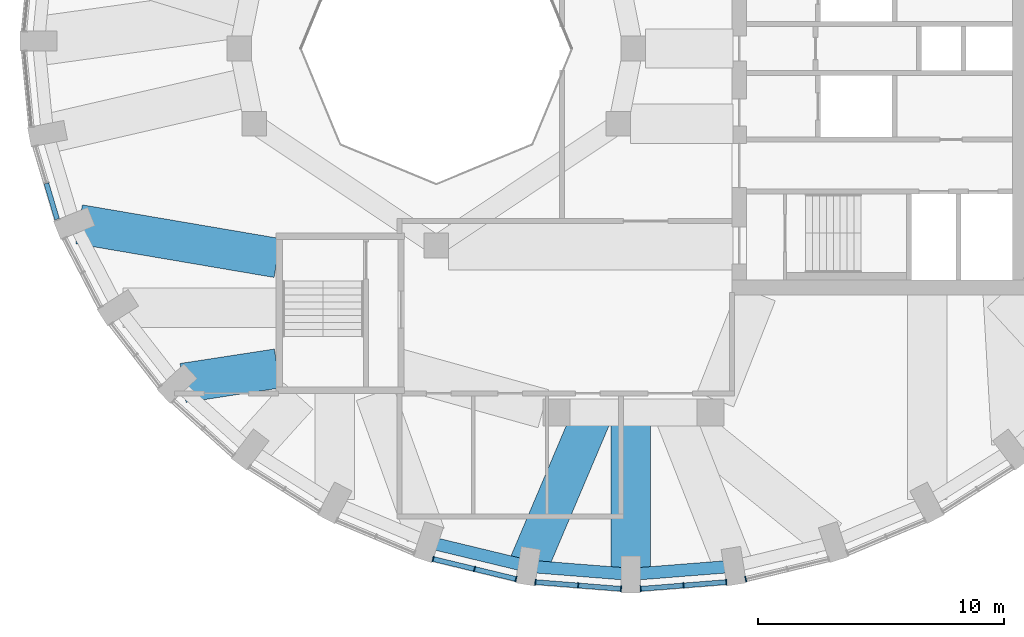
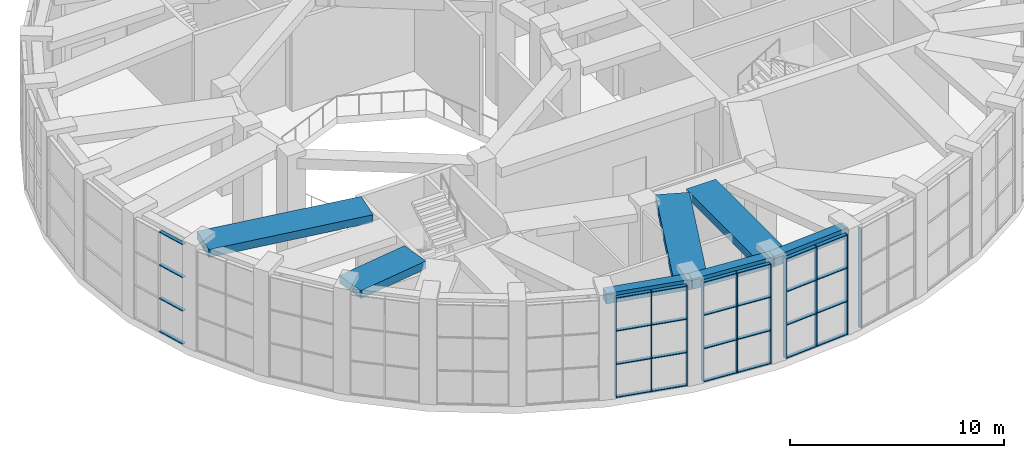
# One storey, part 3 of 20: 38 members, 7 beams, 5 elements without a shape of their own.
"""IFC4 building model written with IfcOpenShell, lengths in metres."""

from ifc_helpers import new_model, si_unit, direction, frame, origin, origin_2d, place, context, subcontext, project, spatial, rectangle, extrude, material, material_profile, profile_set, type_object, element, aggregate, save


model = new_model("IFC4")

# Units and contexts
model_context = context("Model", 3, precision=1e-05, world=origin(), true_north=direction((0.0, 1.0)))
body_context = subcontext(model_context, "Body", "Model", "MODEL_VIEW")
ifc_project = project(units=[si_unit("LENGTHUNIT", "METRE"), si_unit("AREAUNIT", "SQUARE_METRE"), si_unit("VOLUMEUNIT", "CUBIC_METRE"), si_unit("PLANEANGLEUNIT", "RADIAN"), si_unit("MASSUNIT", "GRAM", prefix="KILO")], contexts=[model_context])

# Site, building, storey
site_placement = place(None, origin())
site = spatial("IfcSite", under=ifc_project, at=site_placement, CompositionType="ELEMENT")
building_placement = place(site_placement, origin())
building = spatial("IfcBuilding", under=site, at=building_placement, Name="Taillehof Tower", CompositionType="ELEMENT")
storey_placement = place(building_placement, frame((0.0, 0.0, 269.199951171875)))
storey = spatial("IfcBuildingStorey", under=building, at=storey_placement, Name="L76", CompositionType="ELEMENT", Elevation=269.199951171875)

# Curtain wall, members
ifc_material_1 = material(Name="Aluminium curtain wall with Clear toughened laminated glass", Category="aluminium")
curtain_wall_type = type_object("IfcCurtainWallType", Name="Observation deck curtain wall", PredefinedType="USERDEFINED", material=ifc_material_1)
curtain_wall_1_placement = place(storey_placement, origin())
curtain_wall_1 = element("IfcCurtainWall", 1, at=curtain_wall_1_placement, inside=storey, type_object=curtain_wall_type, Name="Observation deck L76 bay 26", ObjectType="WINDOW WALL", PredefinedType="USERDEFINED")
ifc_material_2 = material(Name="Aluminium mullion", Category="aluminium")
ifc_material_profile_1 = material_profile(ifc_material_2, rectangle(XDim=0.239990234375, YDim=0.0400390625, at=origin_2d()), Name="AL 40x240")
ifc_profile_set_1 = profile_set([ifc_material_profile_1], Name="Aluminium mullion")
member_type_1 = type_object("IfcMemberType", Name="Observation deck mullion 40x240", PredefinedType="MULLION", material=ifc_profile_set_1)
member_1_placement = place(storey_placement, frame((-8.12890625, -20.72705078125, 0.0), z_axis=(0.0, 0.0, 1.0), x_axis=(0.234514520129, 0.972112616855, 0.0)))
member_1 = element("IfcMember", 2, at=member_1_placement, type_object=member_type_1, Name="CT6E26 mullion 1", PredefinedType="MULLION", context=body_context, shape_type="SweptSolid", body=[
    extrude(rectangle(XDim=0.239990234375, YDim=0.0400390625, at=origin_2d()), origin(), (0.0, 0.0, 1.0), 5.699951171875),
])
member_2_placement = place(storey_placement, frame((-6.4462890625, -21.133056640625, 0.0), z_axis=(0.0, 0.0, 1.0), x_axis=(0.234514520129, 0.972112616855, 0.0)))
member_2 = element("IfcMember", 3, at=member_2_placement, type_object=member_type_1, Name="CT6E26 mullion 2", PredefinedType="MULLION", context=body_context, shape_type="SweptSolid", body=[
    extrude(rectangle(XDim=0.239990234375, YDim=0.0400390625, at=origin_2d()), origin(), (0.0, 0.0, 1.0), 5.699951171875),
])
member_3_placement = place(storey_placement, frame((-4.763671875, -21.538818359375, 0.0), z_axis=(0.0, 0.0, 1.0), x_axis=(0.234514520129, 0.972112616855, 0.0)))
member_3 = element("IfcMember", 4, at=member_3_placement, type_object=member_type_1, Name="CT6E26 mullion 3", PredefinedType="MULLION", context=body_context, shape_type="SweptSolid", body=[
    extrude(rectangle(XDim=0.239990234375, YDim=0.0400390625, at=origin_2d()), origin(), (0.0, 0.0, 1.0), 5.699951171875),
])

curtain_wall_2_placement = place(storey_placement, origin())
curtain_wall_2 = element("IfcCurtainWall", 5, at=curtain_wall_2_placement, inside=storey, type_object=curtain_wall_type, Name="Observation deck L76 bay 27", ObjectType="WINDOW WALL", PredefinedType="USERDEFINED")
member_4_placement = place(storey_placement, frame((-3.9736328125, -21.66455078125, 0.0), z_axis=(0.0, 0.0, 1.0), x_axis=(0.078525059075, 0.996912140109, 0.0)))
member_4 = element("IfcMember", 6, at=member_4_placement, type_object=member_type_1, Name="CT6E27 mullion 1", PredefinedType="MULLION", context=body_context, shape_type="SweptSolid", body=[
    extrude(rectangle(XDim=0.239990234375, YDim=0.0400390625, at=origin_2d()), origin(), (0.0, 0.0, 1.0), 5.699951171875),
])
member_5_placement = place(storey_placement, frame((-2.23681640625, -21.80126953125, 0.0), z_axis=(0.0, 0.0, 1.0), x_axis=(0.078525059075, 0.996912140109, 0.0)))
member_5 = element("IfcMember", 7, at=member_5_placement, type_object=member_type_1, Name="CT6E27 mullion 2", PredefinedType="MULLION", context=body_context, shape_type="SweptSolid", body=[
    extrude(rectangle(XDim=0.239990234375, YDim=0.0400390625, at=origin_2d()), origin(), (0.0, 0.0, 1.0), 5.699951171875),
])
member_6_placement = place(storey_placement, frame((-0.5, -21.93798828125, 0.0), z_axis=(0.0, 0.0, 1.0), x_axis=(0.078525059075, 0.996912140109, 0.0)))
member_6 = element("IfcMember", 8, at=member_6_placement, type_object=member_type_1, Name="CT6E27 mullion 3", PredefinedType="MULLION", context=body_context, shape_type="SweptSolid", body=[
    extrude(rectangle(XDim=0.239990234375, YDim=0.0400390625, at=origin_2d()), origin(), (0.0, 0.0, 1.0), 5.699951171875),
])

curtain_wall_3_placement = place(storey_placement, origin())
curtain_wall_3 = element("IfcCurtainWall", 9, at=curtain_wall_3_placement, inside=storey, type_object=curtain_wall_type, Name="Observation deck L76 bay 28", ObjectType="WINDOW WALL", PredefinedType="USERDEFINED")
member_7_placement = place(storey_placement, frame((0.300048828125, -21.93798828125, 0.0), z_axis=(0.0, 0.0, 1.0), x_axis=(-0.078525059075, 0.996912140109, 0.0)))
member_7 = element("IfcMember", 10, at=member_7_placement, type_object=member_type_1, Name="CT6E28 mullion 1", PredefinedType="MULLION", context=body_context, shape_type="SweptSolid", body=[
    extrude(rectangle(XDim=0.239990234375, YDim=0.0400390625, at=origin_2d()), origin(), (0.0, 0.0, 1.0), 5.699951171875),
])
member_8_placement = place(storey_placement, frame((2.036865234375, -21.80126953125, 0.0), z_axis=(0.0, 0.0, 1.0), x_axis=(-0.078525059075, 0.996912140109, 0.0)))
member_8 = element("IfcMember", 11, at=member_8_placement, type_object=member_type_1, Name="CT6E28 mullion 2", PredefinedType="MULLION", context=body_context, shape_type="SweptSolid", body=[
    extrude(rectangle(XDim=0.239990234375, YDim=0.0400390625, at=origin_2d()), origin(), (0.0, 0.0, 1.0), 5.699951171875),
])
member_9_placement = place(storey_placement, frame((3.773681640625, -21.66455078125, 0.0), z_axis=(0.0, 0.0, 1.0), x_axis=(-0.078525059075, 0.996912140109, 0.0)))
member_9 = element("IfcMember", 12, at=member_9_placement, type_object=member_type_1, Name="CT6E28 mullion 3", PredefinedType="MULLION", context=body_context, shape_type="SweptSolid", body=[
    extrude(rectangle(XDim=0.239990234375, YDim=0.0400390625, at=origin_2d()), origin(), (0.0, 0.0, 1.0), 5.699951171875),
])

# Curtain wall, member
curtain_wall_4_placement = place(storey_placement, origin())
curtain_wall_4 = element("IfcCurtainWall", 13, at=curtain_wall_4_placement, inside=storey, type_object=curtain_wall_type, Name="Observation deck L76 bay 29", ObjectType="WINDOW WALL", PredefinedType="USERDEFINED")
member_10_placement = place(storey_placement, frame((4.563720703125, -21.538818359375, 0.0), z_axis=(0.0, 0.0, 1.0), x_axis=(-0.234514520129, 0.972112616855, 0.0)))
member_10 = element("IfcMember", 14, at=member_10_placement, type_object=member_type_1, Name="CT6E29 mullion 1", PredefinedType="MULLION", context=body_context, shape_type="SweptSolid", body=[
    extrude(rectangle(XDim=0.239990234375, YDim=0.0400390625, at=origin_2d()), origin(), (0.0, 0.0, 1.0), 5.699951171875),
])
aggregate(curtain_wall_4, [member_10])

# Curtain wall, members
curtain_wall_5_placement = place(storey_placement, origin())
curtain_wall_5 = element("IfcCurtainWall", 15, at=curtain_wall_5_placement, inside=storey, type_object=curtain_wall_type, Name="Observation deck L76 bay 20", ObjectType="WINDOW WALL", PredefinedType="USERDEFINED")
ifc_material_3 = material(Name="Aluminium transom", Category="aluminium")
ifc_material_profile_2 = material_profile(ifc_material_3, rectangle(XDim=0.199951171875, YDim=0.0400390625, at=origin_2d()), Name="AL 200x40")
ifc_profile_set_2 = profile_set([ifc_material_profile_2], Name="Aluminium transom")
member_type_2 = type_object("IfcMemberType", Name="Observation deck transom 200x40", PredefinedType="USERDEFINED", material=ifc_profile_set_2)
member_11_placement = place(storey_placement, frame((-23.82763671875, -5.476318359375, 0.02001953125), z_axis=(0.285149880125, -0.958482939788, 0.0), x_axis=(0.958482939788, 0.285149880125, 0.0)))
member_11 = element("IfcMember", 16, at=member_11_placement, type_object=member_type_2, Name="CT6E20 transom 2.1", ObjectType="TRANSOM", PredefinedType="USERDEFINED", context=body_context, shape_type="SweptSolid", body=[
    extrude(rectangle(XDim=0.199951171875, YDim=0.0400390625, at=origin_2d()), origin(), (0.0, 0.0, 1.0), 1.518798828125),
])
member_12_placement = place(storey_placement, frame((-23.82763671875, -5.476318359375, 1.900146484375), z_axis=(0.285149880125, -0.958482939788, 0.0), x_axis=(0.958482939788, 0.285149880125, 0.0)))
member_12 = element("IfcMember", 17, at=member_12_placement, type_object=member_type_2, Name="CT6E20 transom 2.2", ObjectType="TRANSOM", PredefinedType="USERDEFINED", context=body_context, shape_type="SweptSolid", body=[
    extrude(rectangle(XDim=0.199951171875, YDim=0.0400390625, at=origin_2d()), origin(), (0.0, 0.0, 1.0), 1.518798828125),
])
member_13_placement = place(storey_placement, frame((-23.82763671875, -5.476318359375, 3.800048828125), z_axis=(0.285149880125, -0.958482939788, 0.0), x_axis=(0.958482939788, 0.285149880125, 0.0)))
member_13 = element("IfcMember", 18, at=member_13_placement, type_object=member_type_2, Name="CT6E20 transom 2.3", ObjectType="TRANSOM", PredefinedType="USERDEFINED", context=body_context, shape_type="SweptSolid", body=[
    extrude(rectangle(XDim=0.199951171875, YDim=0.0400390625, at=origin_2d()), origin(), (0.0, 0.0, 1.0), 1.518798828125),
])
member_14_placement = place(storey_placement, frame((-23.82763671875, -5.476318359375, 5.679931640625), z_axis=(0.285149880125, -0.958482939788, 0.0), x_axis=(0.958482939788, 0.285149880125, 0.0)))
member_14 = element("IfcMember", 19, at=member_14_placement, type_object=member_type_2, Name="CT6E20 transom 2.4", ObjectType="TRANSOM", PredefinedType="USERDEFINED", context=body_context, shape_type="SweptSolid", body=[
    extrude(rectangle(XDim=0.199951171875, YDim=0.0400390625, at=origin_2d()), origin(), (0.0, 0.0, 1.0), 1.518798828125),
])
aggregate(curtain_wall_5, [member_11, member_12, member_13, member_14])

# Member
member_15_placement = place(storey_placement, frame((-8.109619140625, -20.731689453125, 0.02001953125), z_axis=(0.97212194015, -0.234475869717, 0.0), x_axis=(0.234475869717, 0.97212194015, 0.0)))
member_15 = element("IfcMember", 20, at=member_15_placement, type_object=member_type_2, Name="CT6E26 transom 1.1", ObjectType="TRANSOM", PredefinedType="USERDEFINED", context=body_context, shape_type="SweptSolid", body=[
    extrude(rectangle(XDim=0.199951171875, YDim=0.0400390625, at=origin_2d()), origin(), (0.0, 0.0, 1.0), 1.69091796875),
])

member_16_placement = place(storey_placement, frame((-8.109619140625, -20.731689453125, 1.900146484375), z_axis=(0.97212194015, -0.234475869717, 0.0), x_axis=(0.234475869717, 0.97212194015, 0.0)))
member_16 = element("IfcMember", 21, at=member_16_placement, type_object=member_type_2, Name="CT6E26 transom 1.2", ObjectType="TRANSOM", PredefinedType="USERDEFINED", context=body_context, shape_type="SweptSolid", body=[
    extrude(rectangle(XDim=0.199951171875, YDim=0.0400390625, at=origin_2d()), origin(), (0.0, 0.0, 1.0), 1.69091796875),
])

member_17_placement = place(storey_placement, frame((-8.109619140625, -20.731689453125, 3.800048828125), z_axis=(0.97212194015, -0.234475869717, 0.0), x_axis=(0.234475869717, 0.97212194015, 0.0)))
member_17 = element("IfcMember", 22, at=member_17_placement, type_object=member_type_2, Name="CT6E26 transom 1.3", ObjectType="TRANSOM", PredefinedType="USERDEFINED", context=body_context, shape_type="SweptSolid", body=[
    extrude(rectangle(XDim=0.199951171875, YDim=0.0400390625, at=origin_2d()), origin(), (0.0, 0.0, 1.0), 1.69091796875),
])

member_18_placement = place(storey_placement, frame((-8.109619140625, -20.731689453125, 5.679931640625), z_axis=(0.97212194015, -0.234475869717, 0.0), x_axis=(0.234475869717, 0.97212194015, 0.0)))
member_18 = element("IfcMember", 23, at=member_18_placement, type_object=member_type_2, Name="CT6E26 transom 1.4", ObjectType="TRANSOM", PredefinedType="USERDEFINED", context=body_context, shape_type="SweptSolid", body=[
    extrude(rectangle(XDim=0.199951171875, YDim=0.0400390625, at=origin_2d()), origin(), (0.0, 0.0, 1.0), 1.69091796875),
])

member_19_placement = place(storey_placement, frame((-6.427001953125, -21.1376953125, 0.02001953125), z_axis=(0.97212194015, -0.234475869717, 0.0), x_axis=(0.234475869717, 0.97212194015, 0.0)))
member_19 = element("IfcMember", 24, at=member_19_placement, type_object=member_type_2, Name="CT6E26 transom 2.1", ObjectType="TRANSOM", PredefinedType="USERDEFINED", context=body_context, shape_type="SweptSolid", body=[
    extrude(rectangle(XDim=0.199951171875, YDim=0.0400390625, at=origin_2d()), origin(), (0.0, 0.0, 1.0), 1.69091796875),
])

member_20_placement = place(storey_placement, frame((-6.427001953125, -21.1376953125, 1.900146484375), z_axis=(0.97212194015, -0.234475869717, 0.0), x_axis=(0.234475869717, 0.97212194015, 0.0)))
member_20 = element("IfcMember", 25, at=member_20_placement, type_object=member_type_2, Name="CT6E26 transom 2.2", ObjectType="TRANSOM", PredefinedType="USERDEFINED", context=body_context, shape_type="SweptSolid", body=[
    extrude(rectangle(XDim=0.199951171875, YDim=0.0400390625, at=origin_2d()), origin(), (0.0, 0.0, 1.0), 1.69091796875),
])

member_21_placement = place(storey_placement, frame((-6.427001953125, -21.1376953125, 3.800048828125), z_axis=(0.97212194015, -0.234475869717, 0.0), x_axis=(0.234475869717, 0.97212194015, 0.0)))
member_21 = element("IfcMember", 26, at=member_21_placement, type_object=member_type_2, Name="CT6E26 transom 2.3", ObjectType="TRANSOM", PredefinedType="USERDEFINED", context=body_context, shape_type="SweptSolid", body=[
    extrude(rectangle(XDim=0.199951171875, YDim=0.0400390625, at=origin_2d()), origin(), (0.0, 0.0, 1.0), 1.69091796875),
])

member_22_placement = place(storey_placement, frame((-6.427001953125, -21.1376953125, 5.679931640625), z_axis=(0.97212194015, -0.234475869717, 0.0), x_axis=(0.234475869717, 0.97212194015, 0.0)))
member_22 = element("IfcMember", 27, at=member_22_placement, type_object=member_type_2, Name="CT6E26 transom 2.4", ObjectType="TRANSOM", PredefinedType="USERDEFINED", context=body_context, shape_type="SweptSolid", body=[
    extrude(rectangle(XDim=0.199951171875, YDim=0.0400390625, at=origin_2d()), origin(), (0.0, 0.0, 1.0), 1.69091796875),
])

aggregate(curtain_wall_1, [member_1, member_2, member_3, member_15, member_16, member_17, member_18, member_19, member_20, member_21, member_22])

member_23_placement = place(storey_placement, frame((-3.95361328125, -21.666015625, 0.02001953125), z_axis=(0.996905844017, -0.078604950003, 0.0), x_axis=(0.078604950003, 0.996905844017, 0.0)))
member_23 = element("IfcMember", 28, at=member_23_placement, type_object=member_type_2, Name="CT6E27 transom 1.1", ObjectType="TRANSOM", PredefinedType="USERDEFINED", context=body_context, shape_type="SweptSolid", body=[
    extrude(rectangle(XDim=0.199951171875, YDim=0.0400390625, at=origin_2d()), origin(), (0.0, 0.0, 1.0), 1.7021484375),
])

member_24_placement = place(storey_placement, frame((-3.95361328125, -21.666015625, 1.900146484375), z_axis=(0.996905844017, -0.078604950003, 0.0), x_axis=(0.078604950003, 0.996905844017, 0.0)))
member_24 = element("IfcMember", 29, at=member_24_placement, type_object=member_type_2, Name="CT6E27 transom 1.2", ObjectType="TRANSOM", PredefinedType="USERDEFINED", context=body_context, shape_type="SweptSolid", body=[
    extrude(rectangle(XDim=0.199951171875, YDim=0.0400390625, at=origin_2d()), origin(), (0.0, 0.0, 1.0), 1.7021484375),
])

member_25_placement = place(storey_placement, frame((-3.95361328125, -21.666015625, 3.800048828125), z_axis=(0.996905844017, -0.078604950003, 0.0), x_axis=(0.078604950003, 0.996905844017, 0.0)))
member_25 = element("IfcMember", 30, at=member_25_placement, type_object=member_type_2, Name="CT6E27 transom 1.3", ObjectType="TRANSOM", PredefinedType="USERDEFINED", context=body_context, shape_type="SweptSolid", body=[
    extrude(rectangle(XDim=0.199951171875, YDim=0.0400390625, at=origin_2d()), origin(), (0.0, 0.0, 1.0), 1.7021484375),
])

member_26_placement = place(storey_placement, frame((-3.95361328125, -21.666015625, 5.679931640625), z_axis=(0.996905844017, -0.078604950003, 0.0), x_axis=(0.078604950003, 0.996905844017, 0.0)))
member_26 = element("IfcMember", 31, at=member_26_placement, type_object=member_type_2, Name="CT6E27 transom 1.4", ObjectType="TRANSOM", PredefinedType="USERDEFINED", context=body_context, shape_type="SweptSolid", body=[
    extrude(rectangle(XDim=0.199951171875, YDim=0.0400390625, at=origin_2d()), origin(), (0.0, 0.0, 1.0), 1.7021484375),
])

member_27_placement = place(storey_placement, frame((-2.216796875, -21.802734375, 0.02001953125), z_axis=(0.996905844017, -0.078604950003, 0.0), x_axis=(0.078604950003, 0.996905844017, 0.0)))
member_27 = element("IfcMember", 32, at=member_27_placement, type_object=member_type_2, Name="CT6E27 transom 2.1", ObjectType="TRANSOM", PredefinedType="USERDEFINED", context=body_context, shape_type="SweptSolid", body=[
    extrude(rectangle(XDim=0.199951171875, YDim=0.0400390625, at=origin_2d()), origin(), (0.0, 0.0, 1.0), 1.7021484375),
])

member_28_placement = place(storey_placement, frame((-2.216796875, -21.802734375, 1.900146484375), z_axis=(0.996905844017, -0.078604950003, 0.0), x_axis=(0.078604950003, 0.996905844017, 0.0)))
member_28 = element("IfcMember", 33, at=member_28_placement, type_object=member_type_2, Name="CT6E27 transom 2.2", ObjectType="TRANSOM", PredefinedType="USERDEFINED", context=body_context, shape_type="SweptSolid", body=[
    extrude(rectangle(XDim=0.199951171875, YDim=0.0400390625, at=origin_2d()), origin(), (0.0, 0.0, 1.0), 1.7021484375),
])

member_29_placement = place(storey_placement, frame((-2.216796875, -21.802734375, 3.800048828125), z_axis=(0.996905844017, -0.078604950003, 0.0), x_axis=(0.078604950003, 0.996905844017, 0.0)))
member_29 = element("IfcMember", 34, at=member_29_placement, type_object=member_type_2, Name="CT6E27 transom 2.3", ObjectType="TRANSOM", PredefinedType="USERDEFINED", context=body_context, shape_type="SweptSolid", body=[
    extrude(rectangle(XDim=0.199951171875, YDim=0.0400390625, at=origin_2d()), origin(), (0.0, 0.0, 1.0), 1.7021484375),
])

member_30_placement = place(storey_placement, frame((-2.216796875, -21.802734375, 5.679931640625), z_axis=(0.996905844017, -0.078604950003, 0.0), x_axis=(0.078604950003, 0.996905844017, 0.0)))
member_30 = element("IfcMember", 35, at=member_30_placement, type_object=member_type_2, Name="CT6E27 transom 2.4", ObjectType="TRANSOM", PredefinedType="USERDEFINED", context=body_context, shape_type="SweptSolid", body=[
    extrude(rectangle(XDim=0.199951171875, YDim=0.0400390625, at=origin_2d()), origin(), (0.0, 0.0, 1.0), 1.7021484375),
])

aggregate(curtain_wall_2, [member_4, member_5, member_6, member_23, member_24, member_25, member_26, member_27, member_28, member_29, member_30])

member_31_placement = place(storey_placement, frame((0.31982421875, -21.9365234375, 0.02001953125), z_axis=(0.996906730103, 0.078593711422, 0.0), x_axis=(-0.078593711422, 0.996906730103, 0.0)))
member_31 = element("IfcMember", 36, at=member_31_placement, type_object=member_type_2, Name="CT6E28 transom 1.1", ObjectType="TRANSOM", PredefinedType="USERDEFINED", context=body_context, shape_type="SweptSolid", body=[
    extrude(rectangle(XDim=0.199951171875, YDim=0.0400390625, at=origin_2d()), origin(), (0.0, 0.0, 1.0), 1.702392578125),
])

member_32_placement = place(storey_placement, frame((0.31982421875, -21.9365234375, 1.900146484375), z_axis=(0.996906730103, 0.078593711422, 0.0), x_axis=(-0.078593711422, 0.996906730103, 0.0)))
member_32 = element("IfcMember", 37, at=member_32_placement, type_object=member_type_2, Name="CT6E28 transom 1.2", ObjectType="TRANSOM", PredefinedType="USERDEFINED", context=body_context, shape_type="SweptSolid", body=[
    extrude(rectangle(XDim=0.199951171875, YDim=0.0400390625, at=origin_2d()), origin(), (0.0, 0.0, 1.0), 1.702392578125),
])

member_33_placement = place(storey_placement, frame((0.31982421875, -21.9365234375, 3.800048828125), z_axis=(0.996906730103, 0.078593711422, 0.0), x_axis=(-0.078593711422, 0.996906730103, 0.0)))
member_33 = element("IfcMember", 38, at=member_33_placement, type_object=member_type_2, Name="CT6E28 transom 1.3", ObjectType="TRANSOM", PredefinedType="USERDEFINED", context=body_context, shape_type="SweptSolid", body=[
    extrude(rectangle(XDim=0.199951171875, YDim=0.0400390625, at=origin_2d()), origin(), (0.0, 0.0, 1.0), 1.702392578125),
])

member_34_placement = place(storey_placement, frame((0.31982421875, -21.9365234375, 5.679931640625), z_axis=(0.996906730103, 0.078593711422, 0.0), x_axis=(-0.078593711422, 0.996906730103, 0.0)))
member_34 = element("IfcMember", 39, at=member_34_placement, type_object=member_type_2, Name="CT6E28 transom 1.4", ObjectType="TRANSOM", PredefinedType="USERDEFINED", context=body_context, shape_type="SweptSolid", body=[
    extrude(rectangle(XDim=0.199951171875, YDim=0.0400390625, at=origin_2d()), origin(), (0.0, 0.0, 1.0), 1.702392578125),
])

member_35_placement = place(storey_placement, frame((2.056884765625, -21.7998046875, 0.02001953125), z_axis=(0.996905844017, 0.078604950003, 0.0), x_axis=(-0.078604950003, 0.996905844017, 0.0)))
member_35 = element("IfcMember", 40, at=member_35_placement, type_object=member_type_2, Name="CT6E28 transom 2.1", ObjectType="TRANSOM", PredefinedType="USERDEFINED", context=body_context, shape_type="SweptSolid", body=[
    extrude(rectangle(XDim=0.199951171875, YDim=0.0400390625, at=origin_2d()), origin(), (0.0, 0.0, 1.0), 1.7021484375),
])

member_36_placement = place(storey_placement, frame((2.056884765625, -21.7998046875, 1.900146484375), z_axis=(0.996905844017, 0.078604950003, 0.0), x_axis=(-0.078604950003, 0.996905844017, 0.0)))
member_36 = element("IfcMember", 41, at=member_36_placement, type_object=member_type_2, Name="CT6E28 transom 2.2", ObjectType="TRANSOM", PredefinedType="USERDEFINED", context=body_context, shape_type="SweptSolid", body=[
    extrude(rectangle(XDim=0.199951171875, YDim=0.0400390625, at=origin_2d()), origin(), (0.0, 0.0, 1.0), 1.7021484375),
])

member_37_placement = place(storey_placement, frame((2.056884765625, -21.7998046875, 3.800048828125), z_axis=(0.996905844017, 0.078604950003, 0.0), x_axis=(-0.078604950003, 0.996905844017, 0.0)))
member_37 = element("IfcMember", 42, at=member_37_placement, type_object=member_type_2, Name="CT6E28 transom 2.3", ObjectType="TRANSOM", PredefinedType="USERDEFINED", context=body_context, shape_type="SweptSolid", body=[
    extrude(rectangle(XDim=0.199951171875, YDim=0.0400390625, at=origin_2d()), origin(), (0.0, 0.0, 1.0), 1.7021484375),
])

member_38_placement = place(storey_placement, frame((2.056884765625, -21.7998046875, 5.679931640625), z_axis=(0.996905844017, 0.078604950003, 0.0), x_axis=(-0.078604950003, 0.996905844017, 0.0)))
member_38 = element("IfcMember", 43, at=member_38_placement, type_object=member_type_2, Name="CT6E28 transom 2.4", ObjectType="TRANSOM", PredefinedType="USERDEFINED", context=body_context, shape_type="SweptSolid", body=[
    extrude(rectangle(XDim=0.199951171875, YDim=0.0400390625, at=origin_2d()), origin(), (0.0, 0.0, 1.0), 1.7021484375),
])

aggregate(curtain_wall_3, [member_7, member_8, member_9, member_31, member_32, member_33, member_34, member_35, member_36, member_37, member_38])

# Beams
ifc_material_4 = material(Name="Concrete C50/60", Category="concrete")
ifc_material_profile_3 = material_profile(ifc_material_4, rectangle(XDim=1.60009765625, YDim=0.449951171875, at=origin_2d()), Name="RC 1600x450")
ifc_profile_set_3 = profile_set([ifc_material_profile_3], Name="Concrete C50/60")
beam_type_1 = type_object("IfcBeamType", Name="Radial band beam C50/60 1600x450", PredefinedType="BEAM", material=ifc_profile_set_3)
beam_1_placement = place(storey_placement, frame((-22.502685546875, -7.13818359375, 5.47509765625), z_axis=(0.985830005482, -0.167747430059, 0.0), x_axis=(0.167747430059, 0.985830005482, 0.0)))
element("IfcBeam", 44, at=beam_1_placement, inside=storey, type_object=beam_type_1, Name="Radial band beam RB21", PredefinedType="BEAM", context=body_context, shape_type="SweptSolid", body=[
    extrude(rectangle(XDim=1.60009765625, YDim=0.449951171875, at=origin_2d()), origin(), (0.0, 0.0, 1.0), 8.167724609375),
])
beam_2_placement = place(storey_placement, frame((-18.283447265625, -13.57958984375, 5.47509765625), z_axis=(0.988468308682, 0.151427879634, 0.0), x_axis=(-0.151427879634, 0.988468308682, 0.0)))
element("IfcBeam", 45, at=beam_2_placement, inside=storey, type_object=beam_type_1, Name="Radial band beam RB23", PredefinedType="BEAM", context=body_context, shape_type="SweptSolid", body=[
    extrude(rectangle(XDim=1.60009765625, YDim=0.449951171875, at=origin_2d()), origin(), (0.0, 0.0, 1.0), 3.87744140625),
])
beam_3_placement = place(storey_placement, frame((-4.276123046875, -21.02099609375, 5.47509765625), z_axis=(0.390474101739, 0.920613912491, 0.0), x_axis=(-0.920613912491, 0.390474101739, 0.0)))
element("IfcBeam", 46, at=beam_3_placement, inside=storey, type_object=beam_type_1, Name="Radial band beam RB27", PredefinedType="BEAM", context=body_context, shape_type="SweptSolid", body=[
    extrude(rectangle(XDim=1.60009765625, YDim=0.449951171875, at=origin_2d()), origin(), (0.0, 0.0, 1.0), 6.78759765625),
])
beam_4_placement = place(storey_placement, frame((-0.10009765625, -21.35009765625, 5.47509765625), z_axis=(0.0, 1.0, 0.0), x_axis=(-1.0, 0.0, 0.0)))
element("IfcBeam", 47, at=beam_4_placement, inside=storey, type_object=beam_type_1, Name="Radial band beam RB28", PredefinedType="BEAM", context=body_context, shape_type="SweptSolid", body=[
    extrude(rectangle(XDim=1.60009765625, YDim=0.449951171875, at=origin_2d()), origin(), (0.0, 0.0, 1.0), 6.577880859375),
])
ifc_material_5 = material(Name="Concrete C50/60", Category="concrete")
ifc_material_profile_4 = material_profile(ifc_material_5, rectangle(XDim=0.5, YDim=0.60009765625, at=origin_2d()), Name="RC 500x600")
ifc_profile_set_4 = profile_set([ifc_material_profile_4], Name="Concrete C50/60")
beam_type_2 = type_object("IfcBeamType", Name="Spandrel beam C50/60 500x600", PredefinedType="SPANDREL", material=ifc_profile_set_4)
beam_5_placement = place(storey_placement, frame((-8.32568359375, -20.04443359375, 5.400146484375), z_axis=(0.972132431202, -0.234432370218, 0.0), x_axis=(0.234432370218, 0.972132431202, 0.0)))
element("IfcBeam", 48, at=beam_5_placement, inside=storey, type_object=beam_type_2, Name="Spandrel beam SB26", PredefinedType="SPANDREL", context=body_context, shape_type="SweptSolid", body=[
    extrude(rectangle(XDim=0.5, YDim=0.60009765625, at=origin_2d()), origin(), (0.0, 0.0, 1.0), 4.16552734375),
])
beam_6_placement = place(storey_placement, frame((-4.276123046875, -21.02099609375, 5.400146484375), z_axis=(0.996909089392, -0.078563779743, 0.0), x_axis=(0.078563779743, 0.996909089392, 0.0)))
element("IfcBeam", 49, at=beam_6_placement, inside=storey, type_object=beam_type_2, Name="Spandrel beam SB27", PredefinedType="SPANDREL", context=body_context, shape_type="SweptSolid", body=[
    extrude(rectangle(XDim=0.5, YDim=0.60009765625, at=origin_2d()), origin(), (0.0, 0.0, 1.0), 4.18896484375),
])
beam_7_placement = place(storey_placement, frame((-0.10009765625, -21.35009765625, 5.400146484375), z_axis=(0.996909449091, 0.078559215326, 0.0), x_axis=(-0.078559215326, 0.996909449091, 0.0)))
element("IfcBeam", 50, at=beam_7_placement, inside=storey, type_object=beam_type_2, Name="Spandrel beam SB28", PredefinedType="SPANDREL", context=body_context, shape_type="SweptSolid", body=[
    extrude(rectangle(XDim=0.5, YDim=0.60009765625, at=origin_2d()), origin(), (0.0, 0.0, 1.0), 4.189208984375),
])

save(model, "model.ifc")
